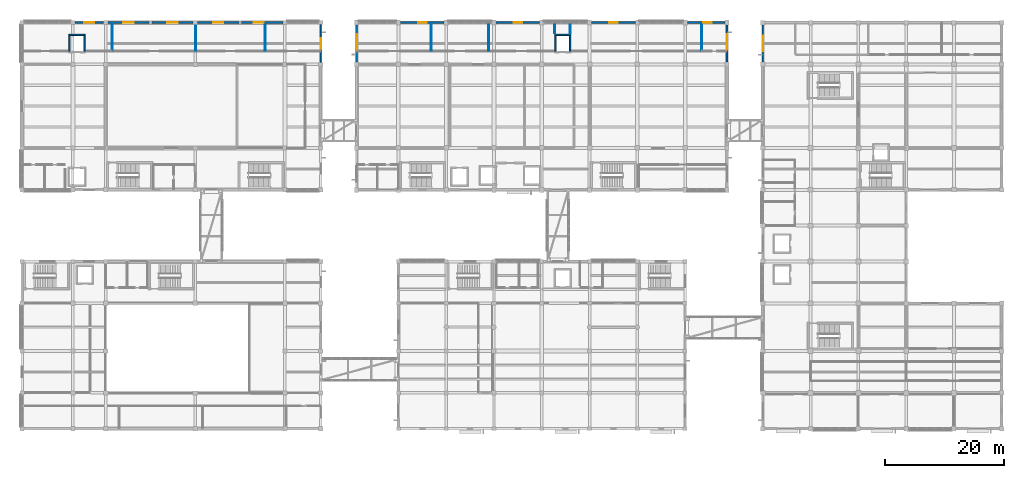
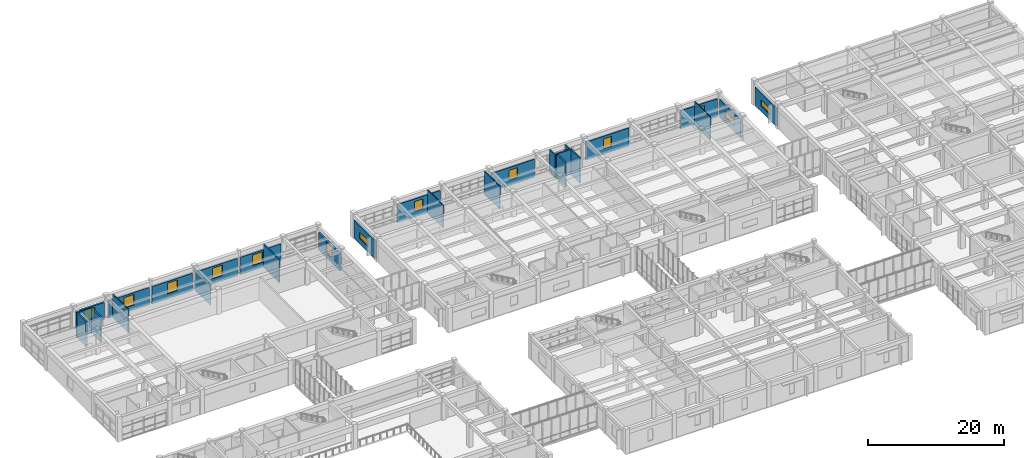
# One storey, part 53 of 70: 27 walls, 13 windows, 13 openings.
"""IFC4 building model written with IfcOpenShell, lengths in metres."""

import ifcopenshell
import ifcopenshell.guid

model = None  # the IFC model being written
_history = None  # IfcOwnerHistory: only IFC2X3 demands one
_inside = {}  # id of a spatial element -> (the spatial element, [elements in it])
_under = {}  # id of a project, library or spatial element -> (it, [spatial elements below it])
_declared = {}  # id of a project -> (the project, [libraries it declares])
_typed = {}  # id of a type object -> (the type object, [elements of that type])
_made_of = {}  # id of a material, layer set ... -> (it, [elements and type objects made of it])


def new_model(schema):
    """Start an empty IFC model of exactly this schema.

    Asked for "IFC4X3", IfcOpenShell would pick the latest addendum, in which some entities
    have other attributes; the version numbers below select the first issue.
    IFC2X3 requires an IfcOwnerHistory on every rooted entity: one is made here for all.
    """
    global model, _history
    if schema == "IFC4X3":
        model = ifcopenshell.file(schema_version=(4, 3, 0, 0))
    else:
        model = ifcopenshell.file(schema=schema)
    _inside.clear()
    _under.clear()
    _declared.clear()
    _typed.clear()
    _made_of.clear()
    _history = None
    if model.schema == "IFC2X3":
        org = make("IfcOrganization", Name="unknown")
        user = make(
            "IfcPersonAndOrganization",
            ThePerson=make("IfcPerson", FamilyName="unknown"),
            TheOrganization=org,
        )
        app = make(
            "IfcApplication",
            ApplicationDeveloper=org,
            Version="unknown",
            ApplicationFullName="unknown",
            ApplicationIdentifier="unknown",
        )
        _history = make(
            "IfcOwnerHistory",
            OwningUser=user,
            OwningApplication=app,
            ChangeAction="ADDED",
            CreationDate=0,
        )
    return model


def make(cls, **values):
    """One entity of the class cls with the attributes given. An attribute that is None is left unset."""
    return model.create_entity(
        cls, **{name: value for name, value in values.items() if value is not None}
    )


def rooted(cls, **values):
    """An entity with a GlobalId (a new one), such as an element, a storey or a relation."""
    return make(cls, GlobalId=ifcopenshell.guid.new(), OwnerHistory=_history, **values)


def si_unit(unit_type, name, prefix=None):
    """IfcSIUnit, for example si_unit("LENGTHUNIT", "METRE", prefix="MILLI")."""
    return make("IfcSIUnit", UnitType=unit_type, Prefix=prefix, Name=name)


def assignment(units):
    """IfcUnitAssignment: the units of a project."""
    return None if units is None else make("IfcUnitAssignment", Units=units)


def point(xyz):
    """IfcCartesianPoint."""
    return None if xyz is None else make("IfcCartesianPoint", Coordinates=xyz)


def direction(xyz):
    """IfcDirection."""
    return None if xyz is None else make("IfcDirection", DirectionRatios=xyz)


def frame(location, z_axis=None, x_axis=None):
    """IfcAxis2Placement3D, a coordinate frame: its origin and axes. An axis left out is left unset."""
    return make(
        "IfcAxis2Placement3D",
        Location=point(location),
        Axis=direction(z_axis),
        RefDirection=direction(x_axis),
    )


def frame_2d(location, x_axis=None):
    """IfcAxis2Placement2D, a coordinate frame in the plane: its origin and x axis."""
    return make(
        "IfcAxis2Placement2D", Location=point(location), RefDirection=direction(x_axis)
    )


def origin():
    """The frame at (0, 0, 0) with its axes left unset."""
    return frame((0.0, 0.0, 0.0))


def place(relative_to, where):
    """IfcLocalPlacement: puts the frame where relative to a parent placement (None: the world)."""
    return make(
        "IfcLocalPlacement", PlacementRelTo=relative_to, RelativePlacement=where
    )


def context(
    kind, dimensions, precision=None, world=None, true_north=None, identifier=None
):
    """IfcGeometricRepresentationContext, for example the 3D "Model" context."""
    return make(
        "IfcGeometricRepresentationContext",
        ContextIdentifier=identifier,
        ContextType=kind,
        CoordinateSpaceDimension=dimensions,
        Precision=precision,
        WorldCoordinateSystem=world,
        TrueNorth=true_north,
    )


def subcontext(parent, identifier, kind, view, scale=None):
    """IfcGeometricRepresentationSubContext, for example "Body" below "Model"."""
    return make(
        "IfcGeometricRepresentationSubContext",
        ContextIdentifier=identifier,
        ContextType=kind,
        ParentContext=parent,
        TargetScale=scale,
        TargetView=view,
    )


def project(units=None, contexts=None):
    """IfcProject with its units and contexts."""
    return rooted(
        "IfcProject",
        Name="project",
        RepresentationContexts=contexts,
        UnitsInContext=assignment(units),
    )


def spatial(cls, under=None, at=None, **own):
    """A site, building, storey or space (cls), placed at a placement, below another one or the project."""
    s = rooted(cls, ObjectPlacement=at, **own)
    if under is not None:
        _under.setdefault(under.id(), (under, []))[1].append(s)
    return s


def profile(cls, at=None, kind="AREA", **sizes):
    """A parametric profile (cls). Its sizes go by their IFC names, for example OverallWidth=200.0."""
    return make(cls, ProfileType=kind, Position=at, **sizes)


def rectangle(**sizes):
    """IfcRectangleProfileDef."""
    return profile("IfcRectangleProfileDef", **sizes)


def extrude(swept, where, along, depth):
    """IfcExtrudedAreaSolid: the profile swept, set in the frame where, extruded along a direction by depth."""
    return make(
        "IfcExtrudedAreaSolid",
        SweptArea=swept,
        Position=where,
        ExtrudedDirection=direction(along),
        Depth=depth,
    )


def shape(context_of_items, identifier, shape_type, items):
    """IfcShapeRepresentation: the items that make up one representation, for example the "Body"."""
    return make(
        "IfcShapeRepresentation",
        ContextOfItems=context_of_items,
        RepresentationIdentifier=identifier,
        RepresentationType=shape_type,
        Items=items,
    )


def material(Name=None, Category=None):
    """IfcMaterial."""
    return make("IfcMaterial", Name=Name, Category=Category)


def layer(
    of_material, thickness, ventilated=None, Name=None, Category=None, Priority=None
):
    """IfcMaterialLayer: one layer of a wall or slab, of a material (None: an air gap)."""
    return make(
        "IfcMaterialLayer",
        Material=of_material,
        LayerThickness=thickness,
        IsVentilated=ventilated,
        Name=Name,
        Category=Category,
        Priority=Priority,
    )


def layer_set(layers, Name=None):
    """IfcMaterialLayerSet."""
    return make("IfcMaterialLayerSet", MaterialLayers=layers, LayerSetName=Name)


def made_of(thing, what):
    """Note that an element or type object is made of a material, layer set ...; save() writes the relation."""
    if what is not None:
        _made_of.setdefault(what.id(), (what, []))[1].append(thing)
    return thing


def type_object(cls, material=None, **own):
    """A type object (cls), such as IfcWallType, which elements share."""
    return made_of(rooted(cls, **own), material)


def element(
    cls,
    number,
    at=None,
    inside=None,
    cuts=None,
    type_object=None,
    material=None,
    context=None,
    identifier="Body",
    shape_type=None,
    held_by="IfcProductDefinitionShape",
    body=None,
    shapes=None,
    **own,
):
    """One element of the class cls, such as IfcWall. Its Tag is "e" and its number.

    at: its placement. inside: the storey or other place that contains it. cuts: it is an
    opening in that element (IfcRelVoidsElement). A single representation is given by context,
    identifier, shape_type and body (its items); several are given by shapes. held_by: the class
    of the entity that holds the representations. save() writes the other relations.
    """
    e = rooted(cls, Tag="e%d" % number, ObjectPlacement=at, **own)
    if body is not None:
        shapes = [shape(context, identifier, shape_type, body)]
    if shapes is not None:
        e.Representation = make(held_by, Representations=shapes)
    if inside is not None:
        _inside.setdefault(inside.id(), (inside, []))[1].append(e)
    if cuts is not None:
        rooted(
            "IfcRelVoidsElement", RelatingBuildingElement=cuts, RelatedOpeningElement=e
        )
    if type_object is not None:
        _typed.setdefault(type_object.id(), (type_object, []))[1].append(e)
    return made_of(e, material)


def fill(opening, filler):
    """IfcRelFillsElement: the door or window that sits in an opening."""
    return rooted(
        "IfcRelFillsElement",
        RelatingOpeningElement=opening,
        RelatedBuildingElement=filler,
    )


def aggregate(whole, parts):
    """IfcRelAggregates: a whole, such as a stair, and the parts it consists of."""
    return rooted("IfcRelAggregates", RelatingObject=whole, RelatedObjects=parts)


def save(model, path):
    """Write the relations noted so far, then the file.

    IfcRelAggregates (storeys below a building ...), IfcRelContainedInSpatialStructure (elements
    in a storey), IfcRelDefinesByType, IfcRelAssociatesMaterial and IfcRelDeclares: one each for
    every whole, place, type object, material and project.
    """
    for whole, parts in _under.values():
        aggregate(whole, parts)
    for where, things in _inside.values():
        rooted(
            "IfcRelContainedInSpatialStructure",
            RelatedElements=things,
            RelatingStructure=where,
        )
    for kind, things in _typed.values():
        rooted("IfcRelDefinesByType", RelatedObjects=things, RelatingType=kind)
    for what, things in _made_of.values():
        rooted("IfcRelAssociatesMaterial", RelatedObjects=things, RelatingMaterial=what)
    for by, libraries in _declared.values():
        rooted("IfcRelDeclares", RelatingContext=by, RelatedDefinitions=libraries)
    model.write(path)


model = new_model("IFC4")

# Units and contexts
model_context = context("Model", 3, precision=1e-05, world=origin(), true_north=direction((0.0, 1.0)))
body_context = subcontext(model_context, "Body", "Model", "MODEL_VIEW")
ifc_project = project(units=[si_unit("LENGTHUNIT", "METRE"), si_unit("AREAUNIT", "SQUARE_METRE"), si_unit("VOLUMEUNIT", "CUBIC_METRE"), si_unit("PLANEANGLEUNIT", "RADIAN"), si_unit("MASSUNIT", "GRAM", prefix="KILO")], contexts=[model_context])

# Site, building, storey
site_placement = place(None, origin())
site = spatial("IfcSite", under=ifc_project, at=site_placement, CompositionType="ELEMENT")
building_placement = place(site_placement, origin())
building = spatial("IfcBuilding", under=site, at=building_placement, Name="Naurynzar Civic Courthouse", CompositionType="ELEMENT")
storey_placement = place(building_placement, frame((0.0, 0.0, 5.39990234375)))
storey = spatial("IfcBuildingStorey", under=building, at=storey_placement, Name="L02", CompositionType="ELEMENT", Elevation=5.39990234375)

# Wall, opening, window
ifc_material_1 = material(Name="Precast concrete C40/50", Category="concrete")
ifc_layer_1 = layer(ifc_material_1, 0.260009765625)
ifc_layer_set_1 = layer_set([ifc_layer_1], Name="WL-EXT-260")
wall_type_1 = type_object("IfcWallType", Name="WL-EXT-260", PredefinedType="SOLIDWALL", material=ifc_layer_set_1)
wall_1_placement = place(storey_placement, frame((130.0, 65.375, 0.0), z_axis=(0.0, 0.0, 1.0), x_axis=(0.0, 1.0, 0.0)))
wall_1 = element("IfcWall", 1, at=wall_1_placement, inside=storey, type_object=wall_type_1, Name="V5 exterior wall west L02.9.1", PredefinedType="SOLIDWALL", context=body_context, shape_type="SweptSolid", body=[
    extrude(rectangle(XDim=6.25, YDim=0.260009765625, at=frame_2d((3.125, 0.0))), origin(), (0.0, 0.0, 1.0), 3.22998046875),
])
opening_1_placement = place(wall_1_placement, frame((1.824951171875, 0.0, 1.0)))
opening_1 = element("IfcOpeningElement", 2, at=opening_1_placement, cuts=wall_1, Name="Opening WN-17", PredefinedType="OPENING", context=body_context, shape_type="SweptSolid", body=[
    extrude(rectangle(XDim=2.60009765625, YDim=1.10009765625, at=frame_2d((1.300048828125, 0.550048828125))), frame((0.0, 0.139892578125, 0.0), z_axis=(0.0, -1.0, 0.0), x_axis=(1.0, 0.0, 0.0)), (0.0, 0.0, 1.0), 0.280029296875),
])
ifc_material_2 = material(Name="Tempered Laminated Low-E Glass", Category="glass")
window_type_1 = type_object("IfcWindowType", Name="WIN-CLER-2600x1100", PartitioningType="DOUBLE_PANEL_VERTICAL", PredefinedType="WINDOW", material=ifc_material_2)
window_1_placement = place(opening_1_placement, origin())
window_1 = element("IfcWindow", 3, at=window_1_placement, inside=storey, type_object=window_type_1, Name="V5 window 265 L02", OverallHeight=1.10009765625, OverallWidth=2.60009765625, PartitioningType="SINGLE_PANEL", PredefinedType="WINDOW", context=body_context, shape_type="SweptSolid", body=[
    extrude(rectangle(XDim=2.60009765625, YDim=1.10009765625, at=frame_2d((1.300048828125, 0.550048828125))), frame((0.0, 0.030029296875, 0.0), z_axis=(0.0, -1.0, 0.0), x_axis=(1.0, 0.0, 0.0)), (0.0, 0.0, 1.0), 0.06005859375),
])
fill(opening_1, window_1)

ifc_material_3 = material(Name="Precast concrete C40/50", Category="concrete")
ifc_layer_2 = layer(ifc_material_3, 0.300048828125)
ifc_layer_set_2 = layer_set([ifc_layer_2], Name="WL-EXT-300")
wall_type_2 = type_object("IfcWallType", Name="WL-EXT-300", PredefinedType="SOLIDWALL", material=ifc_layer_set_2)
wall_2_placement = place(storey_placement, frame((62.0, 65.425048828125, 0.0), z_axis=(0.0, 0.0, 1.0), x_axis=(0.0, 1.0, 0.0)))
wall_2 = element("IfcWall", 4, at=wall_2_placement, inside=storey, type_object=wall_type_2, Name="V2 exterior wall west L02.3.1", PredefinedType="SOLIDWALL", context=body_context, shape_type="SweptSolid", body=[
    extrude(rectangle(XDim=6.14990234375, YDim=0.300048828125, at=frame_2d((3.074951171875, 0.0))), origin(), (0.0, 0.0, 1.0), 3.22998046875),
])
opening_2_placement = place(wall_2_placement, frame((1.9951171875, 0.0, 1.0)))
opening_2 = element("IfcOpeningElement", 5, at=opening_2_placement, cuts=wall_2, Name="Opening WN-17", PredefinedType="OPENING", context=body_context, shape_type="SweptSolid", body=[
    extrude(rectangle(XDim=2.60009765625, YDim=1.10009765625, at=frame_2d((1.300048828125, 0.550048828125))), frame((0.0, 0.159912109375, 0.0), z_axis=(0.0, -1.0, 0.0), x_axis=(1.0, 0.0, 0.0)), (0.0, 0.0, 1.0), 0.320068359375),
])
window_2_placement = place(opening_2_placement, origin())
window_2 = element("IfcWindow", 6, at=window_2_placement, inside=storey, type_object=window_type_1, Name="V2 window 52 L02", OverallHeight=1.10009765625, OverallWidth=2.60009765625, PartitioningType="SINGLE_PANEL", PredefinedType="WINDOW", context=body_context, shape_type="SweptSolid", body=[
    extrude(rectangle(XDim=2.60009765625, YDim=1.10009765625, at=frame_2d((1.300048828125, 0.550048828125))), frame((0.0, 0.030029296875, 0.0), z_axis=(0.0, -1.0, 0.0), x_axis=(1.0, 0.0, 0.0)), (0.0, 0.0, 1.0), 0.06005859375),
])
fill(opening_2, window_2)

wall_3_placement = place(storey_placement, frame((69.35009765625, 72.0, 0.0), z_axis=(0.0, 0.0, 1.0), x_axis=(1.0, 0.0, 0.0)))
wall_3 = element("IfcWall", 7, at=wall_3_placement, inside=storey, type_object=wall_type_2, Name="V2 exterior wall north L02.2.1", PredefinedType="SOLIDWALL", context=body_context, shape_type="SweptSolid", body=[
    extrude(rectangle(XDim=7.2998046875, YDim=0.300048828125, at=frame_2d((3.64990234375, 0.0))), origin(), (0.0, 0.0, 1.0), 3.22998046875),
])
opening_3_placement = place(wall_3_placement, frame((2.949951171875, 0.0, 1.0)))
opening_3 = element("IfcOpeningElement", 8, at=opening_3_placement, cuts=wall_3, Name="Opening WN-06", PredefinedType="OPENING", context=body_context, shape_type="SweptSolid", body=[
    extrude(rectangle(XDim=1.39990234375, YDim=1.75, at=frame_2d((0.699951171875, 0.875))), frame((0.0, 0.159912109375, 0.0), z_axis=(0.0, -1.0, 0.0), x_axis=(1.0, 0.0, 0.0)), (0.0, 0.0, 1.0), 0.320068359375),
])
ifc_material_4 = material(Name="Tempered Laminated Low-E Glass", Category="glass")
window_type_2 = type_object("IfcWindowType", Name="WIN-CHAMB-1400x1750", PartitioningType="SINGLE_PANEL", PredefinedType="WINDOW", material=ifc_material_4)
window_3_placement = place(opening_3_placement, origin())
window_3 = element("IfcWindow", 9, at=window_3_placement, inside=storey, type_object=window_type_2, Name="V2 window 53 L02", OverallHeight=1.75, OverallWidth=1.39990234375, PartitioningType="SINGLE_PANEL", PredefinedType="WINDOW", context=body_context, shape_type="SweptSolid", body=[
    extrude(rectangle(XDim=1.39990234375, YDim=1.75, at=frame_2d((0.699951171875, 0.875))), frame((0.0, 0.030029296875, 0.0), z_axis=(0.0, -1.0, 0.0), x_axis=(1.0, 0.0, 0.0)), (0.0, 0.0, 1.0), 0.06005859375),
])
fill(opening_3, window_3)

wall_4_placement = place(storey_placement, frame((85.35009765625, 72.0, 0.0), z_axis=(0.0, 0.0, 1.0), x_axis=(1.0, 0.0, 0.0)))
wall_4 = element("IfcWall", 10, at=wall_4_placement, inside=storey, type_object=wall_type_2, Name="V2 exterior wall north L02.4.1", PredefinedType="SOLIDWALL", context=body_context, shape_type="SweptSolid", body=[
    extrude(rectangle(XDim=7.2998046875, YDim=0.300048828125, at=frame_2d((3.64990234375, 0.0))), origin(), (0.0, 0.0, 1.0), 3.22998046875),
])
opening_4_placement = place(wall_4_placement, frame((2.949951171875, 0.0, 1.0)))
opening_4 = element("IfcOpeningElement", 11, at=opening_4_placement, cuts=wall_4, Name="Opening WN-06", PredefinedType="OPENING", context=body_context, shape_type="SweptSolid", body=[
    extrude(rectangle(XDim=1.39990234375, YDim=1.75, at=frame_2d((0.699951171875, 0.875))), frame((0.0, 0.159912109375, 0.0), z_axis=(0.0, -1.0, 0.0), x_axis=(1.0, 0.0, 0.0)), (0.0, 0.0, 1.0), 0.320068359375),
])
window_4_placement = place(opening_4_placement, origin())
window_4 = element("IfcWindow", 12, at=window_4_placement, inside=storey, type_object=window_type_2, Name="V2 window 54 L02", OverallHeight=1.75, OverallWidth=1.39990234375, PartitioningType="SINGLE_PANEL", PredefinedType="WINDOW", context=body_context, shape_type="SweptSolid", body=[
    extrude(rectangle(XDim=1.39990234375, YDim=1.75, at=frame_2d((0.699951171875, 0.875))), frame((0.0, 0.030029296875, 0.0), z_axis=(0.0, -1.0, 0.0), x_axis=(1.0, 0.0, 0.0)), (0.0, 0.0, 1.0), 0.06005859375),
])
fill(opening_4, window_4)

wall_5_placement = place(storey_placement, frame((101.35009765625, 72.0, 0.0), z_axis=(0.0, 0.0, 1.0), x_axis=(1.0, 0.0, 0.0)))
wall_5 = element("IfcWall", 13, at=wall_5_placement, inside=storey, type_object=wall_type_2, Name="V2 exterior wall north L02.6.1", PredefinedType="SOLIDWALL", context=body_context, shape_type="SweptSolid", body=[
    extrude(rectangle(XDim=7.2998046875, YDim=0.300048828125, at=frame_2d((3.64990234375, 0.0))), origin(), (0.0, 0.0, 1.0), 3.22998046875),
])
opening_5_placement = place(wall_5_placement, frame((2.949951171875, 0.0, 1.0)))
opening_5 = element("IfcOpeningElement", 14, at=opening_5_placement, cuts=wall_5, Name="Opening WN-06", PredefinedType="OPENING", context=body_context, shape_type="SweptSolid", body=[
    extrude(rectangle(XDim=1.39990234375, YDim=1.75, at=frame_2d((0.699951171875, 0.875))), frame((0.0, 0.159912109375, 0.0), z_axis=(0.0, -1.0, 0.0), x_axis=(1.0, 0.0, 0.0)), (0.0, 0.0, 1.0), 0.320068359375),
])
window_5_placement = place(opening_5_placement, origin())
window_5 = element("IfcWindow", 15, at=window_5_placement, inside=storey, type_object=window_type_2, Name="V2 window 55 L02", OverallHeight=1.75, OverallWidth=1.39990234375, PartitioningType="SINGLE_PANEL", PredefinedType="WINDOW", context=body_context, shape_type="SweptSolid", body=[
    extrude(rectangle(XDim=1.39990234375, YDim=1.75, at=frame_2d((0.699951171875, 0.875))), frame((0.0, 0.030029296875, 0.0), z_axis=(0.0, -1.0, 0.0), x_axis=(1.0, 0.0, 0.0)), (0.0, 0.0, 1.0), 0.06005859375),
])
fill(opening_5, window_5)

wall_6_placement = place(storey_placement, frame((117.35009765625, 72.0, 0.0), z_axis=(0.0, 0.0, 1.0), x_axis=(1.0, 0.0, 0.0)))
wall_6 = element("IfcWall", 16, at=wall_6_placement, inside=storey, type_object=wall_type_2, Name="V2 exterior wall north L02.8.1", PredefinedType="SOLIDWALL", context=body_context, shape_type="SweptSolid", body=[
    extrude(rectangle(XDim=6.2998046875, YDim=0.300048828125, at=frame_2d((3.14990234375, 0.0))), origin(), (0.0, 0.0, 1.0), 3.22998046875),
])
opening_6_placement = place(wall_6_placement, frame((2.669921875, 0.0, 1.0)))
opening_6 = element("IfcOpeningElement", 17, at=opening_6_placement, cuts=wall_6, Name="Opening WN-06", PredefinedType="OPENING", context=body_context, shape_type="SweptSolid", body=[
    extrude(rectangle(XDim=1.39990234375, YDim=1.75, at=frame_2d((0.699951171875, 0.875))), frame((0.0, 0.159912109375, 0.0), z_axis=(0.0, -1.0, 0.0), x_axis=(1.0, 0.0, 0.0)), (0.0, 0.0, 1.0), 0.320068359375),
])
window_6_placement = place(opening_6_placement, origin())
window_6 = element("IfcWindow", 18, at=window_6_placement, inside=storey, type_object=window_type_2, Name="V2 window 56 L02", OverallHeight=1.75, OverallWidth=1.39990234375, PartitioningType="SINGLE_PANEL", PredefinedType="WINDOW", context=body_context, shape_type="SweptSolid", body=[
    extrude(rectangle(XDim=1.39990234375, YDim=1.75, at=frame_2d((0.699951171875, 0.875))), frame((0.0, 0.030029296875, 0.0), z_axis=(0.0, -1.0, 0.0), x_axis=(1.0, 0.0, 0.0)), (0.0, 0.0, 1.0), 0.06005859375),
])
fill(opening_6, window_6)

wall_7_placement = place(storey_placement, frame((124.0, 71.574951171875, 0.0), z_axis=(0.0, 0.0, 1.0), x_axis=(0.0, -1.0, 0.0)))
wall_7 = element("IfcWall", 19, at=wall_7_placement, inside=storey, type_object=wall_type_2, Name="V2 exterior wall east L02.1.1", PredefinedType="SOLIDWALL", context=body_context, shape_type="SweptSolid", body=[
    extrude(rectangle(XDim=6.14990234375, YDim=0.300048828125, at=frame_2d((3.074951171875, 0.0))), origin(), (0.0, 0.0, 1.0), 3.22998046875),
])
opening_7_placement = place(wall_7_placement, frame((1.554931640625, 0.0, 1.0)))
opening_7 = element("IfcOpeningElement", 20, at=opening_7_placement, cuts=wall_7, Name="Opening WN-17", PredefinedType="OPENING", context=body_context, shape_type="SweptSolid", body=[
    extrude(rectangle(XDim=2.60009765625, YDim=1.10009765625, at=frame_2d((1.300048828125, 0.550048828125))), frame((0.0, 0.159912109375, 0.0), z_axis=(0.0, -1.0, 0.0), x_axis=(1.0, 0.0, 0.0)), (0.0, 0.0, 1.0), 0.320068359375),
])
window_7_placement = place(opening_7_placement, origin())
window_7 = element("IfcWindow", 21, at=window_7_placement, inside=storey, type_object=window_type_1, Name="V2 window 57 L02", OverallHeight=1.10009765625, OverallWidth=2.60009765625, PartitioningType="SINGLE_PANEL", PredefinedType="WINDOW", context=body_context, shape_type="SweptSolid", body=[
    extrude(rectangle(XDim=2.60009765625, YDim=1.10009765625, at=frame_2d((1.300048828125, 0.550048828125))), frame((0.0, 0.030029296875, 0.0), z_axis=(0.0, -1.0, 0.0), x_axis=(1.0, 0.0, 0.0)), (0.0, 0.0, 1.0), 0.06005859375),
])
fill(opening_7, window_7)

ifc_material_5 = material(Name="Precast concrete C40/50", Category="concrete")
ifc_layer_3 = layer(ifc_material_5, 0.320068359375)
ifc_layer_set_3 = layer_set([ifc_layer_3], Name="WL-EXT-320")
wall_type_3 = type_object("IfcWallType", Name="WL-EXT-320", PredefinedType="SOLIDWALL", material=ifc_layer_set_3)
wall_8_placement = place(storey_placement, frame((14.85009765625, 72.0, 0.0), z_axis=(0.0, 0.0, 1.0), x_axis=(1.0, 0.0, 0.0)))
wall_8 = element("IfcWall", 22, at=wall_8_placement, inside=storey, type_object=wall_type_3, Name="V1 exterior wall north L02.2.1", PredefinedType="SOLIDWALL", context=body_context, shape_type="SweptSolid", body=[
    extrude(rectangle(XDim=4.7998046875, YDim=0.320068359375, at=frame_2d((2.39990234375, 0.0))), origin(), (0.0, 0.0, 1.0), 3.110107421875),
])
opening_8_placement = place(wall_8_placement, frame((1.550048828125, 0.0, 0.89990234375)))
opening_8 = element("IfcOpeningElement", 23, at=opening_8_placement, cuts=wall_8, Name="Opening WN-14", PredefinedType="OPENING", context=body_context, shape_type="SweptSolid", body=[
    extrude(rectangle(XDim=1.699951171875, YDim=1.89990234375, at=frame_2d((0.85009765625, 0.949951171875))), frame((0.0, 0.169921875, 0.0), z_axis=(0.0, -1.0, 0.0), x_axis=(1.0, 0.0, 0.0)), (0.0, 0.0, 1.0), 0.340087890625),
])
ifc_material_6 = material(Name="Tempered Laminated Low-E Glass", Category="glass")
window_type_3 = type_object("IfcWindowType", Name="WIN-REG-1700x1900", PartitioningType="DOUBLE_PANEL_VERTICAL", PredefinedType="WINDOW", material=ifc_material_6)
window_8_placement = place(opening_8_placement, origin())
window_8 = element("IfcWindow", 24, at=window_8_placement, inside=storey, type_object=window_type_3, Name="V1 window 13 L02", OverallHeight=1.89990234375, OverallWidth=1.699951171875, PartitioningType="SINGLE_PANEL", PredefinedType="WINDOW", context=body_context, shape_type="SweptSolid", body=[
    extrude(rectangle(XDim=1.699951171875, YDim=1.89990234375, at=frame_2d((0.85009765625, 0.949951171875))), frame((0.0, 0.030029296875, 0.0), z_axis=(0.0, -1.0, 0.0), x_axis=(1.0, 0.0, 0.0)), (0.0, 0.0, 1.0), 0.06005859375),
])
fill(opening_8, window_8)

wall_9_placement = place(storey_placement, frame((20.35009765625, 72.0, 0.0), z_axis=(0.0, 0.0, 1.0), x_axis=(1.0, 0.0, 0.0)))
wall_9 = element("IfcWall", 25, at=wall_9_placement, inside=storey, type_object=wall_type_3, Name="V1 exterior wall north L02.3.1", PredefinedType="SOLIDWALL", context=body_context, shape_type="SweptSolid", body=[
    extrude(rectangle(XDim=6.929931640625, YDim=0.320068359375, at=frame_2d((3.46484375, 0.0))), origin(), (0.0, 0.0, 1.0), 3.110107421875),
])
opening_9_placement = place(wall_9_placement, frame((2.614990234375, 0.0, 0.89990234375)))
opening_9 = element("IfcOpeningElement", 26, at=opening_9_placement, cuts=wall_9, Name="Opening WN-14", PredefinedType="OPENING", context=body_context, shape_type="SweptSolid", body=[
    extrude(rectangle(XDim=1.699951171875, YDim=1.89990234375, at=frame_2d((0.85009765625, 0.949951171875))), frame((0.0, 0.169921875, 0.0), z_axis=(0.0, -1.0, 0.0), x_axis=(1.0, 0.0, 0.0)), (0.0, 0.0, 1.0), 0.340087890625),
])
window_9_placement = place(opening_9_placement, origin())
window_9 = element("IfcWindow", 27, at=window_9_placement, inside=storey, type_object=window_type_3, Name="V1 window 14 L02", OverallHeight=1.89990234375, OverallWidth=1.699951171875, PartitioningType="SINGLE_PANEL", PredefinedType="WINDOW", context=body_context, shape_type="SweptSolid", body=[
    extrude(rectangle(XDim=1.699951171875, YDim=1.89990234375, at=frame_2d((0.85009765625, 0.949951171875))), frame((0.0, 0.030029296875, 0.0), z_axis=(0.0, -1.0, 0.0), x_axis=(1.0, 0.0, 0.0)), (0.0, 0.0, 1.0), 0.06005859375),
])
fill(opening_9, window_9)

wall_10_placement = place(storey_placement, frame((27.719970703125, 72.0, 0.0), z_axis=(0.0, 0.0, 1.0), x_axis=(1.0, 0.0, 0.0)))
wall_10 = element("IfcWall", 28, at=wall_10_placement, inside=storey, type_object=wall_type_3, Name="V1 exterior wall north L02.3.2", PredefinedType="SOLIDWALL", context=body_context, shape_type="SweptSolid", body=[
    extrude(rectangle(XDim=6.929931640625, YDim=0.320068359375, at=frame_2d((3.46484375, 0.0))), origin(), (0.0, 0.0, 1.0), 3.110107421875),
])
opening_10_placement = place(wall_10_placement, frame((2.614990234375, 0.0, 0.89990234375)))
opening_10 = element("IfcOpeningElement", 29, at=opening_10_placement, cuts=wall_10, Name="Opening WN-14", PredefinedType="OPENING", context=body_context, shape_type="SweptSolid", body=[
    extrude(rectangle(XDim=1.699951171875, YDim=1.89990234375, at=frame_2d((0.85009765625, 0.949951171875))), frame((0.0, 0.169921875, 0.0), z_axis=(0.0, -1.0, 0.0), x_axis=(1.0, 0.0, 0.0)), (0.0, 0.0, 1.0), 0.340087890625),
])
window_10_placement = place(opening_10_placement, origin())
window_10 = element("IfcWindow", 30, at=window_10_placement, inside=storey, type_object=window_type_3, Name="V1 window 15 L02", OverallHeight=1.89990234375, OverallWidth=1.699951171875, PartitioningType="SINGLE_PANEL", PredefinedType="WINDOW", context=body_context, shape_type="SweptSolid", body=[
    extrude(rectangle(XDim=1.699951171875, YDim=1.89990234375, at=frame_2d((0.85009765625, 0.949951171875))), frame((0.0, 0.030029296875, 0.0), z_axis=(0.0, -1.0, 0.0), x_axis=(1.0, 0.0, 0.0)), (0.0, 0.0, 1.0), 0.06005859375),
])
fill(opening_10, window_10)

wall_11_placement = place(storey_placement, frame((35.35009765625, 72.0, 0.0), z_axis=(0.0, 0.0, 1.0), x_axis=(1.0, 0.0, 0.0)))
wall_11 = element("IfcWall", 31, at=wall_11_placement, inside=storey, type_object=wall_type_3, Name="V1 exterior wall north L02.4.1", PredefinedType="SOLIDWALL", context=body_context, shape_type="SweptSolid", body=[
    extrude(rectangle(XDim=6.929931640625, YDim=0.320068359375, at=frame_2d((3.46484375, 0.0))), origin(), (0.0, 0.0, 1.0), 3.110107421875),
])
opening_11_placement = place(wall_11_placement, frame((2.614990234375, 0.0, 0.89990234375)))
opening_11 = element("IfcOpeningElement", 32, at=opening_11_placement, cuts=wall_11, Name="Opening WN-14", PredefinedType="OPENING", context=body_context, shape_type="SweptSolid", body=[
    extrude(rectangle(XDim=1.699951171875, YDim=1.89990234375, at=frame_2d((0.85009765625, 0.949951171875))), frame((0.0, 0.169921875, 0.0), z_axis=(0.0, -1.0, 0.0), x_axis=(1.0, 0.0, 0.0)), (0.0, 0.0, 1.0), 0.340087890625),
])
window_11_placement = place(opening_11_placement, origin())
window_11 = element("IfcWindow", 33, at=window_11_placement, inside=storey, type_object=window_type_3, Name="V1 window 16 L02", OverallHeight=1.89990234375, OverallWidth=1.699951171875, PartitioningType="SINGLE_PANEL", PredefinedType="WINDOW", context=body_context, shape_type="SweptSolid", body=[
    extrude(rectangle(XDim=1.699951171875, YDim=1.89990234375, at=frame_2d((0.85009765625, 0.949951171875))), frame((0.0, 0.030029296875, 0.0), z_axis=(0.0, -1.0, 0.0), x_axis=(1.0, 0.0, 0.0)), (0.0, 0.0, 1.0), 0.06005859375),
])
fill(opening_11, window_11)

wall_12_placement = place(storey_placement, frame((42.719970703125, 72.0, 0.0), z_axis=(0.0, 0.0, 1.0), x_axis=(1.0, 0.0, 0.0)))
wall_12 = element("IfcWall", 34, at=wall_12_placement, inside=storey, type_object=wall_type_3, Name="V1 exterior wall north L02.4.2", PredefinedType="SOLIDWALL", context=body_context, shape_type="SweptSolid", body=[
    extrude(rectangle(XDim=6.929931640625, YDim=0.320068359375, at=frame_2d((3.46484375, 0.0))), origin(), (0.0, 0.0, 1.0), 3.110107421875),
])
opening_12_placement = place(wall_12_placement, frame((2.06005859375, 0.0, 0.89990234375)))
opening_12 = element("IfcOpeningElement", 35, at=opening_12_placement, cuts=wall_12, Name="Opening WN-14", PredefinedType="OPENING", context=body_context, shape_type="SweptSolid", body=[
    extrude(rectangle(XDim=1.699951171875, YDim=1.89990234375, at=frame_2d((0.85009765625, 0.949951171875))), frame((0.0, 0.169921875, 0.0), z_axis=(0.0, -1.0, 0.0), x_axis=(1.0, 0.0, 0.0)), (0.0, 0.0, 1.0), 0.340087890625),
])
window_12_placement = place(opening_12_placement, origin())
window_12 = element("IfcWindow", 36, at=window_12_placement, inside=storey, type_object=window_type_3, Name="V1 window 17 L02", OverallHeight=1.89990234375, OverallWidth=1.699951171875, PartitioningType="SINGLE_PANEL", PredefinedType="WINDOW", context=body_context, shape_type="SweptSolid", body=[
    extrude(rectangle(XDim=1.699951171875, YDim=1.89990234375, at=frame_2d((0.85009765625, 0.949951171875))), frame((0.0, 0.030029296875, 0.0), z_axis=(0.0, -1.0, 0.0), x_axis=(1.0, 0.0, 0.0)), (0.0, 0.0, 1.0), 0.06005859375),
])
fill(opening_12, window_12)

wall_13_placement = place(storey_placement, frame((56.0, 71.64990234375, 0.0), z_axis=(0.0, 0.0, 1.0), x_axis=(0.0, -1.0, 0.0)))
wall_13 = element("IfcWall", 37, at=wall_13_placement, inside=storey, type_object=wall_type_3, Name="V1 exterior wall east L02.1.1", PredefinedType="SOLIDWALL", context=body_context, shape_type="SweptSolid", body=[
    extrude(rectangle(XDim=6.2998046875, YDim=0.320068359375, at=frame_2d((3.14990234375, 0.0))), origin(), (0.0, 0.0, 1.0), 3.110107421875),
])
opening_13_placement = place(wall_13_placement, frame((2.300048828125, 0.0, 0.89990234375)))
opening_13 = element("IfcOpeningElement", 38, at=opening_13_placement, cuts=wall_13, Name="Opening WN-14", PredefinedType="OPENING", context=body_context, shape_type="SweptSolid", body=[
    extrude(rectangle(XDim=1.699951171875, YDim=1.89990234375, at=frame_2d((0.85009765625, 0.949951171875))), frame((0.0, 0.169921875, 0.0), z_axis=(0.0, -1.0, 0.0), x_axis=(1.0, 0.0, 0.0)), (0.0, 0.0, 1.0), 0.340087890625),
])
window_13_placement = place(opening_13_placement, origin())
window_13 = element("IfcWindow", 39, at=window_13_placement, inside=storey, type_object=window_type_3, Name="V1 window 18 L02", OverallHeight=1.89990234375, OverallWidth=1.699951171875, PartitioningType="SINGLE_PANEL", PredefinedType="WINDOW", context=body_context, shape_type="SweptSolid", body=[
    extrude(rectangle(XDim=1.699951171875, YDim=1.89990234375, at=frame_2d((0.85009765625, 0.949951171875))), frame((0.0, 0.030029296875, 0.0), z_axis=(0.0, -1.0, 0.0), x_axis=(1.0, 0.0, 0.0)), (0.0, 0.0, 1.0), 0.06005859375),
])
fill(opening_13, window_13)

# Walls
ifc_material_7 = material(Name="Insulated Metal-Stud Gypsum Partition")
ifc_layer_4 = layer(ifc_material_7, 0.159912109375)
ifc_layer_set_4 = layer_set([ifc_layer_4], Name="WL-PART-CHAMB-160")
wall_type_4 = type_object("IfcWallType", Name="WL-PART-CHAMB-160", PredefinedType="PARTITIONING", material=ifc_layer_set_4)
wall_14_placement = place(storey_placement, frame((21.1201171875, 67.280029296875, 0.0), z_axis=(0.0, 0.0, 1.0), x_axis=(0.0, 1.0, 0.0)))
element("IfcWall", 40, at=wall_14_placement, inside=storey, type_object=wall_type_4, Name="V1 interior partition L02.259", PredefinedType="PARTITIONING", context=body_context, shape_type="SweptSolid", body=[
    extrude(rectangle(XDim=4.639892578125, YDim=0.159912109375, at=frame_2d((2.31982421875, 0.0))), origin(), (0.0, 0.0, 1.0), 4.14013671875),
])
wall_15_placement = place(storey_placement, frame((35.070068359375, 67.280029296875, 0.0), z_axis=(0.0, 0.0, 1.0), x_axis=(0.0, 1.0, 0.0)))
element("IfcWall", 41, at=wall_15_placement, inside=storey, type_object=wall_type_4, Name="V1 interior partition L02.266", PredefinedType="PARTITIONING", context=body_context, shape_type="SweptSolid", body=[
    extrude(rectangle(XDim=4.639892578125, YDim=0.159912109375, at=frame_2d((2.31982421875, 0.0))), origin(), (0.0, 0.0, 1.0), 3.580078125),
])
for number, where, z_axis, x_axis, name in (
    (42, (46.699951171875, 67.280029296875, 0.0), (0.0, 0.0, 1.0), (0.0, 1.0, 0.0), "V1 interior partition L02.269"),
    (43, (74.510009765625, 67.280029296875, 0.0), (0.0, 0.0, 1.0), (0.0, 1.0, 0.0), "V2 interior partition L02.274"),
    (44, (84.1298828125, 67.280029296875, 0.0), (0.0, 0.0, 1.0), (0.0, 1.0, 0.0), "V2 interior partition L02.277"),
):
    element("IfcWall", number, at=place(storey_placement, frame(where, z_axis=z_axis, x_axis=x_axis)), inside=storey, type_object=wall_type_4, Name=name, PredefinedType="PARTITIONING", context=body_context, shape_type="SweptSolid", body=[
        extrude(rectangle(XDim=4.639892578125, YDim=0.159912109375, at=frame_2d((2.31982421875, 0.0))), origin(), (0.0, 0.0, 1.0), 4.14013671875),
    ])
for number, where, z_axis, x_axis, name in (
    (45, (95.199951171875, 70.199951171875, 0.0), (0.0, 0.0, 1.0), (0.0, 1.0, 0.0), "V2 interior partition L02.283"),
    (46, (97.800048828125, 70.199951171875, 0.0), (0.0, 0.0, 1.0), (0.0, 1.0, 0.0), "V2 interior partition L02.284"),
):
    element("IfcWall", number, at=place(storey_placement, frame(where, z_axis=z_axis, x_axis=x_axis)), inside=storey, type_object=wall_type_4, Name=name, PredefinedType="PARTITIONING", context=body_context, shape_type="SweptSolid", body=[
        extrude(rectangle(XDim=1.719970703125, YDim=0.159912109375, at=frame_2d((0.85986328125, 0.0))), origin(), (0.0, 0.0, 1.0), 4.14013671875),
    ])
wall_16_placement = place(storey_placement, frame((119.800048828125, 67.280029296875, 0.0), z_axis=(0.0, 0.0, 1.0), x_axis=(0.0, 1.0, 0.0)))
element("IfcWall", 47, at=wall_16_placement, inside=storey, type_object=wall_type_4, Name="V2 interior partition L02.290", PredefinedType="PARTITIONING", context=body_context, shape_type="SweptSolid", body=[
    extrude(rectangle(XDim=4.639892578125, YDim=0.159912109375, at=frame_2d((2.31982421875, 0.0))), origin(), (0.0, 0.0, 1.0), 4.14013671875),
])
ifc_material_8 = material(Name="Concrete C40/50", Category="concrete")
ifc_layer_5 = layer(ifc_material_8, 0.25)
ifc_layer_set_5 = layer_set([ifc_layer_5], Name="WL-SHAFT-250")
wall_type_5 = type_object("IfcWallType", Name="WL-SHAFT-250", PredefinedType="SHEAR", material=ifc_layer_set_5)
wall_17_placement = place(storey_placement, frame((16.550048828125, 69.925048828125, 0.0), z_axis=(0.0, 0.0, 1.0), x_axis=(-1.0, 0.0, 0.0)))
element("IfcWall", 48, at=wall_17_placement, inside=storey, type_object=wall_type_5, Name="Lift LJ-01 shaft wall north L02", PredefinedType="SHEAR", context=body_context, shape_type="SweptSolid", body=[
    extrude(rectangle(XDim=2.699951171875, YDim=0.25, at=frame_2d((1.35009765625, 0.0))), origin(), (0.0, 0.0, 1.0), 4.5),
])
for number, where, z_axis, x_axis, name in (
    (49, (13.97509765625, 69.794921875, 0.0), (0.0, 0.0, 1.0), (0.0, -1.0, 0.0), "Lift LJ-01 shaft wall west L02"),
    (50, (16.425048828125, 67.205078125, 0.0), (0.0, 0.0, 1.0), (0.0, 1.0, 0.0), "Lift LJ-01 shaft wall east L02"),
):
    element("IfcWall", number, at=place(storey_placement, frame(where, z_axis=z_axis, x_axis=x_axis)), inside=storey, type_object=wall_type_5, Name=name, PredefinedType="SHEAR", context=body_context, shape_type="SweptSolid", body=[
        extrude(rectangle(XDim=2.58984375, YDim=0.25, at=frame_2d((1.294921875, 0.0))), origin(), (0.0, 0.0, 1.0), 4.5),
    ])
wall_18_placement = place(storey_placement, frame((97.85009765625, 69.925048828125, 0.0), z_axis=(0.0, 0.0, 1.0), x_axis=(-1.0, 0.0, 0.0)))
element("IfcWall", 51, at=wall_18_placement, inside=storey, type_object=wall_type_5, Name="Lift LJ-02 shaft wall north L02", PredefinedType="SHEAR", context=body_context, shape_type="SweptSolid", body=[
    extrude(rectangle(XDim=2.7001953125, YDim=0.25, at=frame_2d((1.35009765625, 0.0))), origin(), (0.0, 0.0, 1.0), 4.5),
])
for number, where, z_axis, x_axis, name in (
    (52, (95.27490234375, 69.794921875, 0.0), (0.0, 0.0, 1.0), (0.0, -1.0, 0.0), "Lift LJ-02 shaft wall west L02"),
    (53, (97.72509765625, 67.205078125, 0.0), (0.0, 0.0, 1.0), (0.0, 1.0, 0.0), "Lift LJ-02 shaft wall east L02"),
):
    element("IfcWall", number, at=place(storey_placement, frame(where, z_axis=z_axis, x_axis=x_axis)), inside=storey, type_object=wall_type_5, Name=name, PredefinedType="SHEAR", context=body_context, shape_type="SweptSolid", body=[
        extrude(rectangle(XDim=2.58984375, YDim=0.25, at=frame_2d((1.294921875, 0.0))), origin(), (0.0, 0.0, 1.0), 4.5),
    ])

save(model, "model.ifc")
